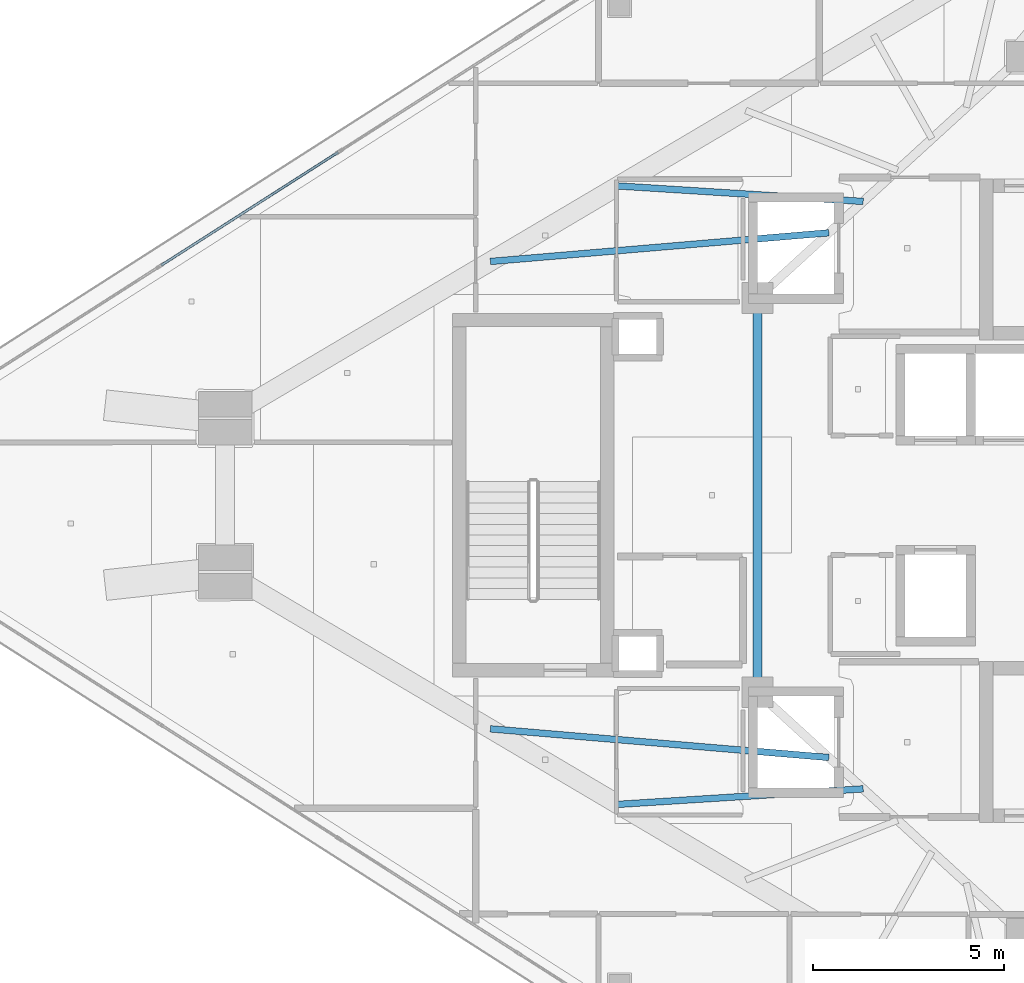
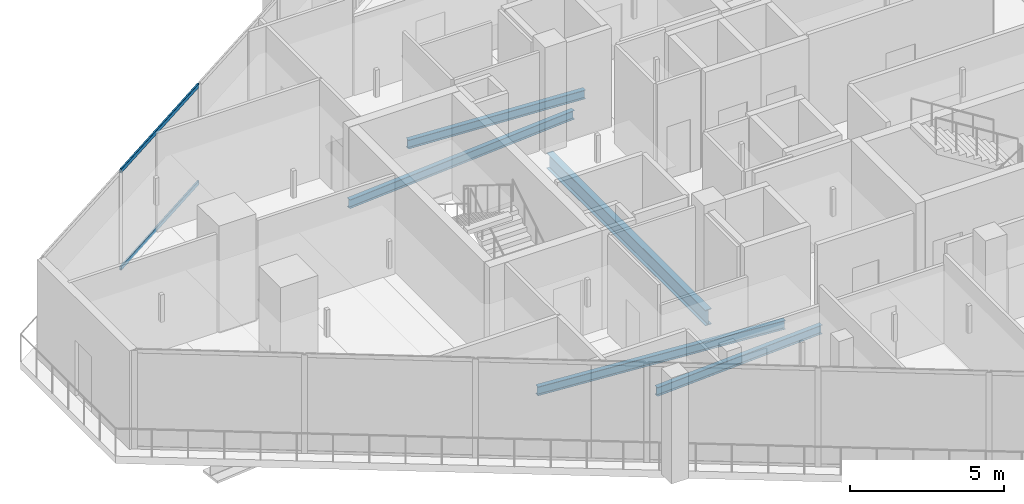
# One storey, part 6 of 29: 5 beams, 2 members, 1 element without a shape of its own.
"""IFC4 building model written with IfcOpenShell, lengths in metres."""

from ifc_helpers import new_model, si_unit, direction, frame, origin, origin_2d, place, context, subcontext, project, spatial, hollow_rectangle, i_section, extrude, material, layer, layer_set, material_profile, profile_set, type_object, element, aggregate, save


model = new_model("IFC4")

# Units and contexts
model_context = context("Model", 3, precision=1e-05, world=origin(), true_north=direction((0.0, 1.0)))
body_context = subcontext(model_context, "Body", "Model", "MODEL_VIEW")
ifc_project = project(units=[si_unit("LENGTHUNIT", "METRE"), si_unit("AREAUNIT", "SQUARE_METRE"), si_unit("VOLUMEUNIT", "CUBIC_METRE"), si_unit("PLANEANGLEUNIT", "RADIAN"), si_unit("MASSUNIT", "GRAM", prefix="KILO")], contexts=[model_context])

# Site, building, storey
site_placement = place(None, origin())
site = spatial("IfcSite", under=ifc_project, at=site_placement, CompositionType="ELEMENT")
building_placement = place(site_placement, origin())
building = spatial("IfcBuilding", under=site, at=building_placement, Name="Qorvath Tower", CompositionType="ELEMENT")
storey_placement = place(building_placement, frame((0.0, 0.0, 285.0)))
storey = spatial("IfcBuildingStorey", under=building, at=storey_placement, Name="L66", CompositionType="ELEMENT", Elevation=285.0)

# Beams
ifc_material_1 = material(Name="Steel ASTM A992 Grade 50", Category="steel")
ifc_material_profile_1 = material_profile(ifc_material_1, i_section(OverallWidth=0.22998046875, OverallDepth=0.616943359375, WebThickness=0.01318359375, FlangeThickness=0.022216796875, FilletRadius=0.014892578125, at=origin_2d()), Name="W24x94")
ifc_profile_set_1 = profile_set([ifc_material_profile_1], Name="Steel ASTM A992 Grade 50")
beam_type_1 = type_object("IfcBeamType", Name="BM-FG6", PredefinedType="BEAM", material=ifc_profile_set_1)
beam_1_placement = place(storey_placement, frame((-30.5, -5.14990234375, -0.598388671875), z_axis=(0.0, 1.0, 0.0), x_axis=(-1.0, 0.0, 0.0)))
element("IfcBeam", 1, at=beam_1_placement, inside=storey, type_object=beam_type_1, Name="Core Ring Girder CC6-CC5 L66", PredefinedType="BEAM", context=body_context, shape_type="SweptSolid", body=[
    extrude(i_section(OverallWidth=0.22998046875, OverallDepth=0.616943359375, WebThickness=0.01318359375, FlangeThickness=0.022216796875, FilletRadius=0.014892578125, at=origin_2d()), origin(), (0.0, 0.0, 1.0), 10.2998046875),
])
ifc_material_2 = material(Name="Steel ASTM A992 Grade 50", Category="steel")
ifc_material_profile_2 = material_profile(ifc_material_2, i_section(OverallWidth=0.1708984375, OverallDepth=0.35107421875, WebThickness=0.0068359375, FlangeThickness=0.009765625, FilletRadius=0.010009765625, at=origin_2d()), Name="W14x30")
ifc_profile_set_2 = profile_set([ifc_material_profile_2], Name="Steel ASTM A992 Grade 50")
beam_type_2 = type_object("IfcBeamType", Name="BM-FJ4", PredefinedType="JOIST", material=ifc_profile_set_2)
beam_2_placement = place(storey_placement, frame((-28.636962890625, 6.85107421875, -0.465576171875), z_axis=(-0.996436150147, -0.084350451576, 0.0), x_axis=(0.084350451576, -0.996436150147, 0.0)))
element("IfcBeam", 2, at=beam_2_placement, inside=storey, type_object=beam_type_2, Name="Composite Floor Joist NW2 L66", PredefinedType="JOIST", context=body_context, shape_type="SweptSolid", body=[
    extrude(i_section(OverallWidth=0.1708984375, OverallDepth=0.35107421875, WebThickness=0.0068359375, FlangeThickness=0.009765625, FilletRadius=0.010009765625, at=origin_2d()), origin(), (0.0, 0.0, 1.0), 8.87109375),
])
beam_3_placement = place(storey_placement, frame((-27.739990234375, 7.669921875, -0.465576171875), z_axis=(-0.998006998641, 0.063103333222, 0.0), x_axis=(-0.063103333222, -0.998006998641, 0.0)))
element("IfcBeam", 3, at=beam_3_placement, inside=storey, type_object=beam_type_2, Name="Composite Floor Joist NW3 L66", PredefinedType="JOIST", context=body_context, shape_type="SweptSolid", body=[
    extrude(i_section(OverallWidth=0.1708984375, OverallDepth=0.35107421875, WebThickness=0.0068359375, FlangeThickness=0.009765625, FilletRadius=0.010009765625, at=origin_2d()), origin(), (0.0, 0.0, 1.0), 6.41455078125),
])
beam_4_placement = place(storey_placement, frame((-28.636962890625, -6.85107421875, -0.465576171875), z_axis=(-0.996436150147, 0.084350451576, 0.0), x_axis=(-0.084350451576, -0.996436150147, 0.0)))
element("IfcBeam", 4, at=beam_4_placement, inside=storey, type_object=beam_type_2, Name="Composite Floor Joist SW2 L66", PredefinedType="JOIST", context=body_context, shape_type="SweptSolid", body=[
    extrude(i_section(OverallWidth=0.1708984375, OverallDepth=0.35107421875, WebThickness=0.0068359375, FlangeThickness=0.009765625, FilletRadius=0.010009765625, at=origin_2d()), origin(), (0.0, 0.0, 1.0), 8.87109375),
])
beam_5_placement = place(storey_placement, frame((-27.739990234375, -7.669921875, -0.465576171875), z_axis=(-0.998006998641, -0.063103333222, 0.0), x_axis=(0.063103333222, -0.998006998641, 0.0)))
element("IfcBeam", 5, at=beam_5_placement, inside=storey, type_object=beam_type_2, Name="Composite Floor Joist SW3 L66", PredefinedType="JOIST", context=body_context, shape_type="SweptSolid", body=[
    extrude(i_section(OverallWidth=0.1708984375, OverallDepth=0.35107421875, WebThickness=0.0068359375, FlangeThickness=0.009765625, FilletRadius=0.010009765625, at=origin_2d()), origin(), (0.0, 0.0, 1.0), 6.41455078125),
])

# Curtain wall, members
ifc_material_3 = material(Name="Anodised aluminium and triple low-E glass", Category="aluminium")
ifc_layer = layer(ifc_material_3, 0.179931640625)
ifc_layer_set = layer_set([ifc_layer], Name="CW-SYS-4")
curtain_wall_type = type_object("IfcCurtainWallType", Name="CW-SYS-4", PredefinedType="NOTDEFINED", material=ifc_layer_set)
curtain_wall_placement = place(storey_placement, origin())
curtain_wall = element("IfcCurtainWall", 6, at=curtain_wall_placement, inside=storey, type_object=curtain_wall_type, Name="Curtain Wall CW-4 CW-T-L66-16.1", PredefinedType="NOTDEFINED")
ifc_material_4 = material(Name="Anodised aluminium 6063-T6", Category="aluminium")
ifc_material_profile_3 = material_profile(ifc_material_4, hollow_rectangle(XDim=0.06494140625, YDim=0.159912109375, WallThickness=0.00341796875, InnerFilletRadius=0.00341796875, OuterFilletRadius=0.007080078125, at=origin_2d()), Name="CWT 160x65")
ifc_profile_set_3 = profile_set([ifc_material_profile_3], Name="Anodised aluminium 6063-T6")
member_type = type_object("IfcMemberType", Name="CWT-160", PredefinedType="USERDEFINED", material=ifc_profile_set_3)
member_1_placement = place(storey_placement, frame((-41.454833984375, 8.953125, 0.032470703125), z_axis=(-0.842615950321, -0.538514958256, 0.0), x_axis=(0.538514958256, -0.842615950321, 0.0)))
member_1 = element("IfcMember", 7, at=member_1_placement, type_object=member_type, Name="CW-4 transom 6.1", ObjectType="TRANSOM", PredefinedType="USERDEFINED", context=body_context, shape_type="SweptSolid", body=[
    extrude(hollow_rectangle(XDim=0.06494140625, YDim=0.159912109375, WallThickness=0.00341796875, InnerFilletRadius=0.00341796875, OuterFilletRadius=0.007080078125, at=origin_2d()), origin(), (0.0, 0.0, 1.0), 5.479248046875),
])
member_2_placement = place(storey_placement, frame((-41.454833984375, 8.953125, 3.87744140625), z_axis=(-0.842615950321, -0.538514958256, 0.0), x_axis=(0.538514958256, -0.842615950321, 0.0)))
member_2 = element("IfcMember", 8, at=member_2_placement, type_object=member_type, Name="CW-4 transom 6.2", ObjectType="TRANSOM", PredefinedType="USERDEFINED", context=body_context, shape_type="SweptSolid", body=[
    extrude(hollow_rectangle(XDim=0.06494140625, YDim=0.159912109375, WallThickness=0.00341796875, InnerFilletRadius=0.00341796875, OuterFilletRadius=0.007080078125, at=origin_2d()), origin(), (0.0, 0.0, 1.0), 5.479248046875),
])
aggregate(curtain_wall, [member_1, member_2])

save(model, "model.ifc")
